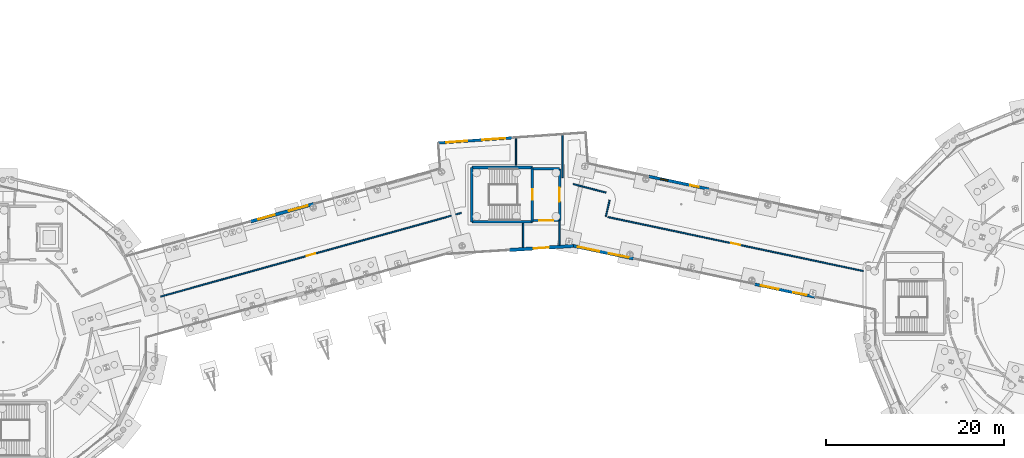
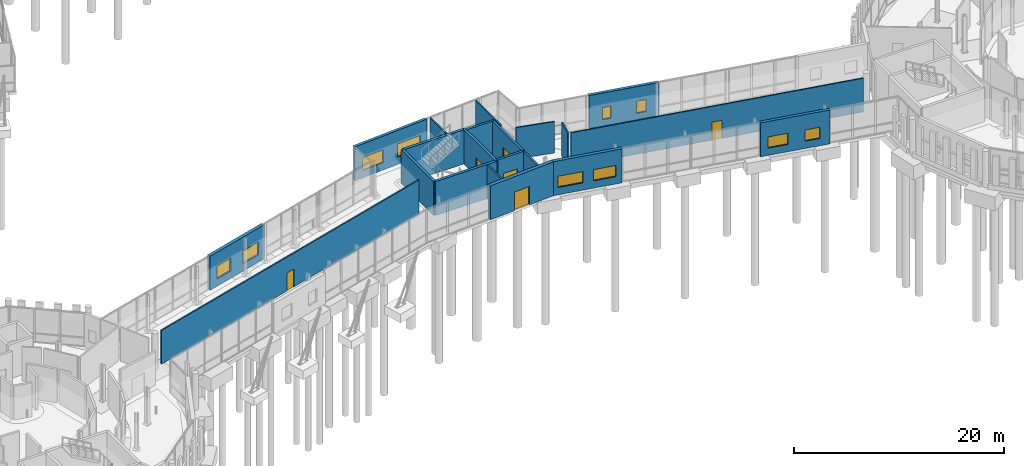
# One storey, part 81 of 113: 21 walls, 10 windows, 6 doors, 16 openings.
"""IFC4 building model written with IfcOpenShell, lengths in metres."""

from ifc_helpers import new_model, si_unit, direction, frame, frame_2d, origin, place, context, subcontext, project, spatial, rectangle, extrude, material, layer, layer_set, type_object, element, fill, save


model = new_model("IFC4")

# Units and contexts
model_context = context("Model", 3, precision=1e-05, world=origin(), true_north=direction((0.0, 1.0)))
body_context = subcontext(model_context, "Body", "Model", "MODEL_VIEW")
ifc_project = project(units=[si_unit("LENGTHUNIT", "METRE"), si_unit("AREAUNIT", "SQUARE_METRE"), si_unit("VOLUMEUNIT", "CUBIC_METRE"), si_unit("PLANEANGLEUNIT", "RADIAN"), si_unit("MASSUNIT", "GRAM", prefix="KILO")], contexts=[model_context])

# Site, building, storey
site_placement = place(None, origin())
site = spatial("IfcSite", under=ifc_project, at=site_placement, CompositionType="ELEMENT")
building_placement = place(site_placement, origin())
building = spatial("IfcBuilding", under=site, at=building_placement, Name="Wrenclough Park School", CompositionType="ELEMENT")
storey_placement = place(building_placement, origin())
storey = spatial("IfcBuildingStorey", under=building, at=storey_placement, Name="L00", CompositionType="ELEMENT", Elevation=0.0)

# Wall, openings, windows
ifc_material_1 = material(Name="Manchester multi-stock brick and Concrete C32/40 inner leaf", Category="masonry")
ifc_layer_1 = layer(ifc_material_1, 0.300048828125)
ifc_layer_set_1 = layer_set([ifc_layer_1], Name="Manchester multi-stock brick and Concrete C32/40 inner leaf")
wall_type_1 = type_object("IfcWallType", Name="ENV-EW-300", PredefinedType="SOLIDWALL", material=ifc_layer_set_1)
wall_1_placement = place(storey_placement, frame((85.302001953125, 44.88720703125, 0.0), z_axis=(0.0, 0.0, 1.0), x_axis=(0.997565760775, 0.069732007928, 0.0)))
wall_1 = element("IfcWall", 1, at=wall_1_placement, inside=storey, type_object=wall_type_1, Name="L00 insulated brick external wall 0048", PredefinedType="SOLIDWALL", context=body_context, shape_type="SweptSolid", body=[
    extrude(rectangle(XDim=8.2802734375, YDim=0.300048828125, at=frame_2d((4.14013671875, 0.0))), origin(), (0.0, 0.0, 1.0), 3.93994140625),
])
opening_1_placement = place(wall_1_placement, frame((0.89501953125, 0.0, 0.85009765625)))
opening_1 = element("IfcOpeningElement", 2, at=opening_1_placement, cuts=wall_1, Name="Opening WN-55", PredefinedType="OPENING", context=body_context, shape_type="SweptSolid", body=[
    extrude(rectangle(XDim=2.35009765625, YDim=1.5, at=frame_2d((1.175048828125, 0.75))), frame((0.0, 0.159912109375, 0.0), z_axis=(0.0, -1.0, 0.0), x_axis=(1.0, 0.0, 0.0)), (0.0, 0.0, 1.0), 0.320068359375),
])
opening_2_placement = place(wall_1_placement, frame((4.909912109375, 0.0, 0.85009765625)))
opening_2 = element("IfcOpeningElement", 3, at=opening_2_placement, cuts=wall_1, Name="Opening WN-56", PredefinedType="OPENING", context=body_context, shape_type="SweptSolid", body=[
    extrude(rectangle(XDim=2.60009765625, YDim=1.5, at=frame_2d((1.300048828125, 0.75))), frame((0.0, 0.159912109375, 0.0), z_axis=(0.0, -1.0, 0.0), x_axis=(1.0, 0.0, 0.0)), (0.0, 0.0, 1.0), 0.320068359375),
])
ifc_material_2 = material(Name="Thermally broken aluminium and double-glazed low-e glass", Category="aluminium")
window_type_1 = type_object("IfcWindowType", Name="ENV-WN-55", PartitioningType="DOUBLE_PANEL_VERTICAL", PredefinedType="WINDOW", material=ifc_material_2)
window_1_placement = place(opening_1_placement, origin())
window_1 = element("IfcWindow", 4, at=window_1_placement, inside=storey, type_object=window_type_1, Name="L00 scheduled facade window 0054", OverallHeight=1.5, OverallWidth=2.35009765625, PartitioningType="SINGLE_PANEL", PredefinedType="WINDOW", context=body_context, shape_type="SweptSolid", body=[
    extrude(rectangle(XDim=2.35009765625, YDim=1.5, at=frame_2d((1.175048828125, 0.75))), frame((0.0, 0.030029296875, 0.0), z_axis=(0.0, -1.0, 0.0), x_axis=(1.0, 0.0, 0.0)), (0.0, 0.0, 1.0), 0.06005859375),
])
fill(opening_1, window_1)
window_type_2 = type_object("IfcWindowType", Name="ENV-WN-56", PartitioningType="DOUBLE_PANEL_VERTICAL", PredefinedType="WINDOW", material=ifc_material_2)
window_2_placement = place(opening_2_placement, origin())
window_2 = element("IfcWindow", 5, at=window_2_placement, inside=storey, type_object=window_type_2, Name="L00 scheduled facade window 0055", OverallHeight=1.5, OverallWidth=2.60009765625, PartitioningType="SINGLE_PANEL", PredefinedType="WINDOW", context=body_context, shape_type="SweptSolid", body=[
    extrude(rectangle(XDim=2.60009765625, YDim=1.5, at=frame_2d((1.300048828125, 0.75))), frame((0.0, 0.030029296875, 0.0), z_axis=(0.0, -1.0, 0.0), x_axis=(1.0, 0.0, 0.0)), (0.0, 0.0, 1.0), 0.06005859375),
])
fill(opening_2, window_2)

ifc_layer_2 = layer(ifc_material_1, 0.324951171875)
ifc_layer_set_2 = layer_set([ifc_layer_2], Name="Manchester multi-stock brick and Concrete C32/40 inner leaf")
wall_type_2 = type_object("IfcWallType", Name="ENV-EW-325", PredefinedType="SOLIDWALL", material=ifc_layer_set_2)
wall_2_placement = place(storey_placement, frame((127.5185546875, 27.63134765625, 0.0), z_axis=(0.0, 0.0, 1.0), x_axis=(-0.978380606667, 0.206812447639, 0.0)))
wall_2 = element("IfcWall", 6, at=wall_2_placement, inside=storey, type_object=wall_type_2, Name="L00 insulated brick external wall 0041", PredefinedType="SOLIDWALL", context=body_context, shape_type="SweptSolid", body=[
    extrude(rectangle(XDim=6.9189453125, YDim=0.324951171875, at=frame_2d((3.45947265625, 0.0))), origin(), (0.0, 0.0, 1.0), 3.93994140625),
])
opening_3_placement = place(wall_2_placement, frame((0.979736328125, 0.0, 0.85009765625)))
opening_3 = element("IfcOpeningElement", 7, at=opening_3_placement, cuts=wall_2, Name="Opening WN-46", PredefinedType="OPENING", context=body_context, shape_type="SweptSolid", body=[
    extrude(rectangle(XDim=1.5, YDim=1.300048828125, at=frame_2d((0.75, 0.64990234375))), frame((0.0, 0.17236328125, 0.0), z_axis=(0.0, -1.0, 0.0), x_axis=(1.0, 0.0, 0.0)), (0.0, 0.0, 1.0), 0.344970703125),
])
opening_4_placement = place(wall_2_placement, frame((4.189208984375, 0.0, 0.85009765625)))
opening_4 = element("IfcOpeningElement", 8, at=opening_4_placement, cuts=wall_2, Name="Opening WN-47", PredefinedType="OPENING", context=body_context, shape_type="SweptSolid", body=[
    extrude(rectangle(XDim=2.0, YDim=1.300048828125, at=frame_2d((1.0, 0.64990234375))), frame((0.0, 0.17236328125, 0.0), z_axis=(0.0, -1.0, 0.0), x_axis=(1.0, 0.0, 0.0)), (0.0, 0.0, 1.0), 0.344970703125),
])
window_type_3 = type_object("IfcWindowType", Name="ENV-WN-46", PartitioningType="DOUBLE_PANEL_VERTICAL", PredefinedType="WINDOW", material=ifc_material_2)
window_3_placement = place(opening_3_placement, origin())
window_3 = element("IfcWindow", 9, at=window_3_placement, inside=storey, type_object=window_type_3, Name="L00 scheduled facade window 0045", OverallHeight=1.300048828125, OverallWidth=1.5, PartitioningType="SINGLE_PANEL", PredefinedType="WINDOW", context=body_context, shape_type="SweptSolid", body=[
    extrude(rectangle(XDim=1.5, YDim=1.300048828125, at=frame_2d((0.75, 0.64990234375))), frame((0.0, 0.030029296875, 0.0), z_axis=(0.0, -1.0, 0.0), x_axis=(1.0, 0.0, 0.0)), (0.0, 0.0, 1.0), 0.06005859375),
])
fill(opening_3, window_3)
window_type_4 = type_object("IfcWindowType", Name="ENV-WN-47", PartitioningType="DOUBLE_PANEL_VERTICAL", PredefinedType="WINDOW", material=ifc_material_2)
window_4_placement = place(opening_4_placement, origin())
window_4 = element("IfcWindow", 10, at=window_4_placement, inside=storey, type_object=window_type_4, Name="L00 scheduled facade window 0046", OverallHeight=1.300048828125, OverallWidth=2.0, PartitioningType="SINGLE_PANEL", PredefinedType="WINDOW", context=body_context, shape_type="SweptSolid", body=[
    extrude(rectangle(XDim=2.0, YDim=1.300048828125, at=frame_2d((1.0, 0.64990234375))), frame((0.0, 0.030029296875, 0.0), z_axis=(0.0, -1.0, 0.0), x_axis=(1.0, 0.0, 0.0)), (0.0, 0.0, 1.0), 0.06005859375),
])
fill(opening_4, window_4)

wall_3_placement = place(storey_placement, frame((108.893310546875, 41.13525390625, 0.0), z_axis=(0.0, 0.0, 1.0), x_axis=(0.978379111133, -0.206819522527, 0.0)))
wall_3 = element("IfcWall", 11, at=wall_3_placement, inside=storey, type_object=wall_type_2, Name="L00 insulated brick external wall 0049", PredefinedType="SOLIDWALL", context=body_context, shape_type="SweptSolid", body=[
    extrude(rectangle(XDim=6.97998046875, YDim=0.324951171875, at=frame_2d((3.489990234375, 0.0))), origin(), (0.0, 0.0, 1.0), 3.93994140625),
])
opening_5_placement = place(wall_3_placement, frame((1.320068359375, 0.0, 0.85009765625)))
opening_5 = element("IfcOpeningElement", 12, at=opening_5_placement, cuts=wall_3, Name="Opening WN-01", PredefinedType="OPENING", context=body_context, shape_type="SweptSolid", body=[
    extrude(rectangle(XDim=0.85009765625, YDim=1.39990234375, at=frame_2d((0.425048828125, 0.699951171875))), frame((0.0, 0.17236328125, 0.0), z_axis=(0.0, -1.0, 0.0), x_axis=(1.0, 0.0, 0.0)), (0.0, 0.0, 1.0), 0.344970703125),
])
opening_6_placement = place(wall_3_placement, frame((4.76025390625, 0.0, 0.85009765625)))
opening_6 = element("IfcOpeningElement", 13, at=opening_6_placement, cuts=wall_3, Name="Opening WN-02", PredefinedType="OPENING", context=body_context, shape_type="SweptSolid", body=[
    extrude(rectangle(XDim=0.949951171875, YDim=1.39990234375, at=frame_2d((0.47509765625, 0.699951171875))), frame((0.0, 0.17236328125, 0.0), z_axis=(0.0, -1.0, 0.0), x_axis=(1.0, 0.0, 0.0)), (0.0, 0.0, 1.0), 0.344970703125),
])
window_type_5 = type_object("IfcWindowType", Name="ENV-WN-01", PartitioningType="SINGLE_PANEL", PredefinedType="WINDOW", material=ifc_material_2)
window_5_placement = place(opening_5_placement, origin())
window_5 = element("IfcWindow", 14, at=window_5_placement, inside=storey, type_object=window_type_5, Name="L00 scheduled facade window 0056", OverallHeight=1.39990234375, OverallWidth=0.85009765625, PartitioningType="SINGLE_PANEL", PredefinedType="WINDOW", context=body_context, shape_type="SweptSolid", body=[
    extrude(rectangle(XDim=0.85009765625, YDim=1.39990234375, at=frame_2d((0.425048828125, 0.699951171875))), frame((0.0, 0.030029296875, 0.0), z_axis=(0.0, -1.0, 0.0), x_axis=(1.0, 0.0, 0.0)), (0.0, 0.0, 1.0), 0.06005859375),
])
fill(opening_5, window_5)
window_type_6 = type_object("IfcWindowType", Name="ENV-WN-02", PartitioningType="SINGLE_PANEL", PredefinedType="WINDOW", material=ifc_material_2)
window_6_placement = place(opening_6_placement, origin())
window_6 = element("IfcWindow", 15, at=window_6_placement, inside=storey, type_object=window_type_6, Name="L00 scheduled facade window 0057", OverallHeight=1.39990234375, OverallWidth=0.949951171875, PartitioningType="SINGLE_PANEL", PredefinedType="WINDOW", context=body_context, shape_type="SweptSolid", body=[
    extrude(rectangle(XDim=0.949951171875, YDim=1.39990234375, at=frame_2d((0.47509765625, 0.699951171875))), frame((0.0, 0.030029296875, 0.0), z_axis=(0.0, -1.0, 0.0), x_axis=(1.0, 0.0, 0.0)), (0.0, 0.0, 1.0), 0.06005859375),
])
fill(opening_6, window_6)

ifc_material_3 = material(Name="Staffordshire blue-grey brick and Concrete C35/45 inner leaf", Category="masonry")
ifc_layer_3 = layer(ifc_material_3, 0.35009765625)
ifc_layer_set_3 = layer_set([ifc_layer_3], Name="Staffordshire blue-grey brick and Concrete C35/45 inner leaf")
wall_type_3 = type_object("IfcWallType", Name="ENV-EW-350", PredefinedType="SOLIDWALL", material=ifc_layer_set_3)
wall_4_placement = place(storey_placement, frame((107.210693359375, 31.924072265625, 0.0), z_axis=(0.0, 0.0, 1.0), x_axis=(-0.978380606667, 0.206812447639, 0.0)))
wall_4 = element("IfcWall", 16, at=wall_4_placement, inside=storey, type_object=wall_type_3, Name="L00 insulated brick external wall 0042", PredefinedType="SOLIDWALL", context=body_context, shape_type="SweptSolid", body=[
    extrude(rectangle(XDim=6.9189453125, YDim=0.35009765625, at=frame_2d((3.45947265625, 0.0))), origin(), (0.0, 0.0, 1.0), 3.93994140625),
])
opening_7_placement = place(wall_4_placement, frame((0.604736328125, 0.0, 0.85009765625)))
opening_7 = element("IfcOpeningElement", 17, at=opening_7_placement, cuts=wall_4, Name="Opening WN-48", PredefinedType="OPENING", context=body_context, shape_type="SweptSolid", body=[
    extrude(rectangle(XDim=2.25, YDim=1.300048828125, at=frame_2d((1.125, 0.64990234375))), frame((0.0, 0.18505859375, 0.0), z_axis=(0.0, -1.0, 0.0), x_axis=(1.0, 0.0, 0.0)), (0.0, 0.0, 1.0), 0.3701171875),
])
opening_8_placement = place(wall_4_placement, frame((3.939208984375, 0.0, 0.85009765625)))
opening_8 = element("IfcOpeningElement", 18, at=opening_8_placement, cuts=wall_4, Name="Opening WN-49", PredefinedType="OPENING", context=body_context, shape_type="SweptSolid", body=[
    extrude(rectangle(XDim=2.5, YDim=1.300048828125, at=frame_2d((1.25, 0.64990234375))), frame((0.0, 0.18505859375, 0.0), z_axis=(0.0, -1.0, 0.0), x_axis=(1.0, 0.0, 0.0)), (0.0, 0.0, 1.0), 0.3701171875),
])
window_type_7 = type_object("IfcWindowType", Name="ENV-WN-48", PartitioningType="DOUBLE_PANEL_VERTICAL", PredefinedType="WINDOW", material=ifc_material_2)
window_7_placement = place(opening_7_placement, origin())
window_7 = element("IfcWindow", 19, at=window_7_placement, inside=storey, type_object=window_type_7, Name="L00 scheduled facade window 0047", OverallHeight=1.300048828125, OverallWidth=2.25, PartitioningType="SINGLE_PANEL", PredefinedType="WINDOW", context=body_context, shape_type="SweptSolid", body=[
    extrude(rectangle(XDim=2.25, YDim=1.300048828125, at=frame_2d((1.125, 0.64990234375))), frame((0.0, 0.030029296875, 0.0), z_axis=(0.0, -1.0, 0.0), x_axis=(1.0, 0.0, 0.0)), (0.0, 0.0, 1.0), 0.06005859375),
])
fill(opening_7, window_7)
window_type_8 = type_object("IfcWindowType", Name="ENV-WN-49", PartitioningType="DOUBLE_PANEL_VERTICAL", PredefinedType="WINDOW", material=ifc_material_2)
window_8_placement = place(opening_8_placement, origin())
window_8 = element("IfcWindow", 20, at=window_8_placement, inside=storey, type_object=window_type_8, Name="L00 scheduled facade window 0048", OverallHeight=1.300048828125, OverallWidth=2.5, PartitioningType="SINGLE_PANEL", PredefinedType="WINDOW", context=body_context, shape_type="SweptSolid", body=[
    extrude(rectangle(XDim=2.5, YDim=1.300048828125, at=frame_2d((1.25, 0.64990234375))), frame((0.0, 0.030029296875, 0.0), z_axis=(0.0, -1.0, 0.0), x_axis=(1.0, 0.0, 0.0)), (0.0, 0.0, 1.0), 0.06005859375),
])
fill(opening_8, window_8)

ifc_material_4 = material(Name="Faceted courtyard brick-cavity wall Concrete C35/45", Category="masonry")
ifc_layer_4 = layer(ifc_material_4, 0.364990234375)
ifc_layer_set_4 = layer_set([ifc_layer_4], Name="Faceted courtyard brick-cavity wall Concrete C35/45")
wall_type_4 = type_object("IfcWallType", Name="ENV-EW-365", PredefinedType="SOLIDWALL", material=ifc_layer_set_4)
wall_5_placement = place(storey_placement, frame((64.297607421875, 36.0927734375, 0.0), z_axis=(0.0, 0.0, 1.0), x_axis=(0.963395775512, 0.268083158227, 0.0)))
wall_5 = element("IfcWall", 21, at=wall_5_placement, inside=storey, type_object=wall_type_4, Name="L00 insulated brick external wall 0047", PredefinedType="SOLIDWALL", context=body_context, shape_type="SweptSolid", body=[
    extrude(rectangle(XDim=7.33740234375, YDim=0.364990234375, at=frame_2d((3.668701171875, 0.0))), origin(), (0.0, 0.0, 1.0), 3.93994140625),
])
opening_9_placement = place(wall_5_placement, frame((0.884521484375, 0.0, 0.85009765625)))
opening_9 = element("IfcOpeningElement", 22, at=opening_9_placement, cuts=wall_5, Name="Opening WN-53", PredefinedType="OPENING", context=body_context, shape_type="SweptSolid", body=[
    extrude(rectangle(XDim=1.89990234375, YDim=1.5, at=frame_2d((0.949951171875, 0.75))), frame((0.0, 0.1923828125, 0.0), z_axis=(0.0, -1.0, 0.0), x_axis=(1.0, 0.0, 0.0)), (0.0, 0.0, 1.0), 0.385009765625),
])
opening_10_placement = place(wall_5_placement, frame((4.427978515625, 0.0, 0.85009765625)))
opening_10 = element("IfcOpeningElement", 23, at=opening_10_placement, cuts=wall_5, Name="Opening WN-54", PredefinedType="OPENING", context=body_context, shape_type="SweptSolid", body=[
    extrude(rectangle(XDim=2.14990234375, YDim=1.5, at=frame_2d((1.074951171875, 0.75))), frame((0.0, 0.1923828125, 0.0), z_axis=(0.0, -1.0, 0.0), x_axis=(1.0, 0.0, 0.0)), (0.0, 0.0, 1.0), 0.385009765625),
])
window_type_9 = type_object("IfcWindowType", Name="ENV-WN-53", PartitioningType="DOUBLE_PANEL_VERTICAL", PredefinedType="WINDOW", material=ifc_material_2)
window_9_placement = place(opening_9_placement, origin())
window_9 = element("IfcWindow", 24, at=window_9_placement, inside=storey, type_object=window_type_9, Name="L00 scheduled facade window 0052", OverallHeight=1.5, OverallWidth=1.89990234375, PartitioningType="SINGLE_PANEL", PredefinedType="WINDOW", context=body_context, shape_type="SweptSolid", body=[
    extrude(rectangle(XDim=1.89990234375, YDim=1.5, at=frame_2d((0.949951171875, 0.75))), frame((0.0, 0.030029296875, 0.0), z_axis=(0.0, -1.0, 0.0), x_axis=(1.0, 0.0, 0.0)), (0.0, 0.0, 1.0), 0.06005859375),
])
fill(opening_9, window_9)
window_type_10 = type_object("IfcWindowType", Name="ENV-WN-54", PartitioningType="DOUBLE_PANEL_VERTICAL", PredefinedType="WINDOW", material=ifc_material_2)
window_10_placement = place(opening_10_placement, origin())
window_10 = element("IfcWindow", 25, at=window_10_placement, inside=storey, type_object=window_type_10, Name="L00 scheduled facade window 0053", OverallHeight=1.5, OverallWidth=2.14990234375, PartitioningType="SINGLE_PANEL", PredefinedType="WINDOW", context=body_context, shape_type="SweptSolid", body=[
    extrude(rectangle(XDim=2.14990234375, YDim=1.5, at=frame_2d((1.074951171875, 0.75))), frame((0.0, 0.030029296875, 0.0), z_axis=(0.0, -1.0, 0.0), x_axis=(1.0, 0.0, 0.0)), (0.0, 0.0, 1.0), 0.06005859375),
])
fill(opening_10, window_10)

# Wall, opening, door
ifc_material_5 = material(Name="Manchester multi-stock brick and Concrete C35/45 inner leaf", Category="masonry")
ifc_layer_5 = layer(ifc_material_5, 0.3798828125)
ifc_layer_set_5 = layer_set([ifc_layer_5], Name="Manchester multi-stock brick and Concrete C35/45 inner leaf")
wall_type_5 = type_object("IfcWallType", Name="ENV-EW-380", PredefinedType="SOLIDWALL", material=ifc_layer_set_5)
wall_6_placement = place(storey_placement, frame((100.44140625, 33.35498046875, 0.0), z_axis=(0.0, 0.0, 1.0), x_axis=(-0.997933226296, -0.064259441753, 0.0)))
wall_6 = element("IfcWall", 26, at=wall_6_placement, inside=storey, type_object=wall_type_5, Name="L00 insulated brick external wall 0043", PredefinedType="SOLIDWALL", context=body_context, shape_type="SweptSolid", body=[
    extrude(rectangle(XDim=7.21484375, YDim=0.3798828125, at=frame_2d((3.607421875, 0.0))), origin(), (0.0, 0.0, 1.0), 3.93994140625),
])
opening_11_placement = place(wall_6_placement, frame((2.747314453125, 0.0, 0.0)))
opening_11 = element("IfcOpeningElement", 27, at=opening_11_placement, cuts=wall_6, Name="Opening EX-08", PredefinedType="OPENING", context=body_context, shape_type="SweptSolid", body=[
    extrude(rectangle(XDim=1.719970703125, YDim=2.14990234375, at=frame_2d((0.85986328125, 1.074951171875))), frame((0.0, 0.199951171875, 0.0), z_axis=(0.0, -1.0, 0.0), x_axis=(1.0, 0.0, 0.0)), (0.0, 0.0, 1.0), 0.39990234375),
])
ifc_material_6 = material(Name="Thermally broken powder-coated aluminium and laminated safety glass", Category="aluminium")
door_type_1 = type_object("IfcDoorType", Name="DR-EX172", OperationType="NOTDEFINED", PredefinedType="DOOR", material=ifc_material_6)
door_1_placement = place(opening_11_placement, origin())
door_1 = element("IfcDoor", 28, at=door_1_placement, inside=storey, type_object=door_type_1, Name="Pedestrian final exit door EX-08", OperationType="DOUBLE_DOOR_SINGLE_SWING", OverallHeight=2.14990234375, OverallWidth=1.719970703125, PredefinedType="DOOR", context=body_context, shape_type="SweptSolid", body=[
    extrude(rectangle(XDim=1.719970703125, YDim=2.14990234375, at=frame_2d((0.85986328125, 1.074951171875))), frame((0.0, 0.02490234375, 0.0), z_axis=(0.0, -1.0, 0.0), x_axis=(1.0, 0.0, 0.0)), (0.0, 0.0, 1.0), 0.050048828125),
])
fill(opening_11, door_1)

ifc_material_7 = material(Name="Concrete C35/45", Category="concrete")
ifc_layer_6 = layer(ifc_material_7, 0.25)
ifc_layer_set_6 = layer_set([ifc_layer_6], Name="Concrete C35/45")
wall_type_6 = type_object("IfcWallType", Name="INT-CW-250", PredefinedType="SHEAR", material=ifc_layer_set_6)
wall_7_placement = place(storey_placement, frame((95.89990234375, 36.199951171875, 0.0), z_axis=(0.0, 0.0, 1.0), x_axis=(1.0, 0.0, 0.0)))
wall_7 = element("IfcWall", 29, at=wall_7_placement, inside=storey, type_object=wall_type_6, Name="Core C7 L00 lobby fire wall south", PredefinedType="SHEAR", context=body_context, shape_type="SweptSolid", body=[
    extrude(rectangle(XDim=3.0, YDim=0.25, at=frame_2d((1.5, 0.0))), origin(), (0.0, 0.0, 1.0), 3.949951171875),
])
opening_12_placement = place(wall_7_placement, frame((0.72509765625, 0.0, 0.0)))
opening_12 = element("IfcOpeningElement", 30, at=opening_12_placement, cuts=wall_7, Name="Opening DLB-C7-L00", PredefinedType="OPENING", context=body_context, shape_type="SweptSolid", body=[
    extrude(rectangle(XDim=1.550048828125, YDim=2.14990234375, at=frame_2d((0.77490234375, 1.074951171875))), frame((0.0, 0.135009765625, 0.0), z_axis=(0.0, -1.0, 0.0), x_axis=(1.0, 0.0, 0.0)), (0.0, 0.0, 1.0), 0.27001953125),
])
ifc_material_8 = material(Name="Protected stair lobby double fire door assembly", Category="wood")
door_type_2 = type_object("IfcDoorType", Name="INT-DR-LB155", OperationType="NOTDEFINED", PredefinedType="DOOR", material=ifc_material_8)
door_2_placement = place(opening_12_placement, frame((1.550048828125, 0.0, 0.0), z_axis=(0.0, 0.0, 1.0), x_axis=(-1.0, 0.0, 0.0)))
door_2 = element("IfcDoor", 31, at=door_2_placement, inside=storey, type_object=door_type_2, Name="Core C7 L00 protected lobby fire door", OperationType="DOUBLE_DOOR_SINGLE_SWING", OverallHeight=2.14990234375, OverallWidth=1.550048828125, PredefinedType="DOOR", context=body_context, shape_type="SweptSolid", body=[
    extrude(rectangle(XDim=1.550048828125, YDim=2.14990234375, at=frame_2d((0.77490234375, 1.074951171875))), frame((0.0, 0.02490234375, 0.0), z_axis=(0.0, -1.0, 0.0), x_axis=(1.0, 0.0, 0.0)), (0.0, 0.0, 1.0), 0.050048828125),
])
fill(opening_12, door_2)

wall_8_placement = place(storey_placement, frame((98.89990234375, 36.199951171875, 0.0), z_axis=(0.0, 0.0, 1.0), x_axis=(0.0, 1.0, 0.0)))
wall_8 = element("IfcWall", 32, at=wall_8_placement, inside=storey, type_object=wall_type_6, Name="Core C7 L00 lobby fire wall east", PredefinedType="SHEAR", context=body_context, shape_type="SweptSolid", body=[
    extrude(rectangle(XDim=5.800048828125, YDim=0.25, at=frame_2d((2.89990234375, 0.0))), origin(), (0.0, 0.0, 1.0), 3.949951171875),
])
opening_13_placement = place(wall_8_placement, frame((2.125, 0.0, 0.0)))
opening_13 = element("IfcOpeningElement", 33, at=opening_13_placement, cuts=wall_8, Name="Opening DEP-C7-L00", PredefinedType="OPENING", context=body_context, shape_type="SweptSolid", body=[
    extrude(rectangle(XDim=1.550048828125, YDim=2.14990234375, at=frame_2d((0.77490234375, 1.074951171875))), frame((0.0, 0.135009765625, 0.0), z_axis=(0.0, -1.0, 0.0), x_axis=(1.0, 0.0, 0.0)), (0.0, 0.0, 1.0), 0.27001953125),
])
door_3_placement = place(opening_13_placement, frame((1.550048828125, 0.0, 0.0), z_axis=(0.0, 0.0, 1.0), x_axis=(-1.0, 0.0, 0.0)))
door_3 = element("IfcDoor", 34, at=door_3_placement, inside=storey, type_object=door_type_2, Name="Core C7 L00 protected exit passageway fire door", OperationType="DOUBLE_DOOR_SINGLE_SWING", OverallHeight=2.14990234375, OverallWidth=1.550048828125, PredefinedType="DOOR", context=body_context, shape_type="SweptSolid", body=[
    extrude(rectangle(XDim=1.550048828125, YDim=2.14990234375, at=frame_2d((0.77490234375, 1.074951171875))), frame((0.0, 0.02490234375, 0.0), z_axis=(0.0, -1.0, 0.0), x_axis=(1.0, 0.0, 0.0)), (0.0, 0.0, 1.0), 0.050048828125),
])
fill(opening_13, door_3)

# Walls
wall_9_placement = place(storey_placement, frame((98.89990234375, 42.0, 0.0), z_axis=(0.0, 0.0, 1.0), x_axis=(-1.0, 0.0, 0.0)))
element("IfcWall", 35, at=wall_9_placement, inside=storey, type_object=wall_type_6, Name="Core C7 L00 lobby fire wall north", PredefinedType="SHEAR", context=body_context, shape_type="SweptSolid", body=[
    extrude(rectangle(XDim=3.0, YDim=0.25, at=frame_2d((1.5, 0.0))), origin(), (0.0, 0.0, 1.0), 3.949951171875),
])
ifc_material_9 = material(Name="Concrete C40/50", Category="concrete")
ifc_layer_7 = layer(ifc_material_9, 0.2900390625)
ifc_layer_set_7 = layer_set([ifc_layer_7], Name="Concrete C40/50")
wall_type_7 = type_object("IfcWallType", Name="INT-CW-290", PredefinedType="SHEAR", material=ifc_layer_set_7)
wall_10_placement = place(storey_placement, frame((89.054931640625, 36.054931640625, 0.0), z_axis=(0.0, 0.0, 1.0), x_axis=(1.0, 0.0, 0.0)))
element("IfcWall", 36, at=wall_10_placement, inside=storey, type_object=wall_type_7, Name="Core C7 L00 south shear wall", PredefinedType="SHEAR", context=body_context, shape_type="SweptSolid", body=[
    extrude(rectangle(XDim=6.7900390625, YDim=0.2900390625, at=frame_2d((3.39501953125, 0.0))), origin(), (0.0, 0.0, 1.0), 3.949951171875),
])

# Wall, opening, door
wall_11_placement = place(storey_placement, frame((95.844970703125, 36.054931640625, 0.0), z_axis=(0.0, 0.0, 1.0), x_axis=(0.0, 1.0, 0.0)))
wall_11 = element("IfcWall", 37, at=wall_11_placement, inside=storey, type_object=wall_type_7, Name="Core C7 L00 east shear wall", PredefinedType="SHEAR", context=body_context, shape_type="SweptSolid", body=[
    extrude(rectangle(XDim=6.090087890625, YDim=0.2900390625, at=frame_2d((3.044921875, 0.0))), origin(), (0.0, 0.0, 1.0), 3.949951171875),
])
opening_14_placement = place(wall_11_placement, frame((2.469970703125, 0.0, 0.0)))
opening_14 = element("IfcOpeningElement", 38, at=opening_14_placement, cuts=wall_11, Name="Opening DST-C7-L00", PredefinedType="OPENING", context=body_context, shape_type="SweptSolid", body=[
    extrude(rectangle(XDim=1.14990234375, YDim=2.10009765625, at=frame_2d((0.574951171875, 1.050048828125))), frame((0.0, 0.155029296875, 0.0), z_axis=(0.0, -1.0, 0.0), x_axis=(1.0, 0.0, 0.0)), (0.0, 0.0, 1.0), 0.31005859375),
])
ifc_material_10 = material(Name="Protected escape stair single fire door assembly", Category="wood")
door_type_3 = type_object("IfcDoorType", Name="INT-DR-ST115", OperationType="NOTDEFINED", PredefinedType="DOOR", material=ifc_material_10)
door_4_placement = place(opening_14_placement, frame((1.14990234375, 0.0, 0.0), z_axis=(0.0, 0.0, 1.0), x_axis=(-1.0, 0.0, 0.0)))
door_4 = element("IfcDoor", 39, at=door_4_placement, inside=storey, type_object=door_type_3, Name="Stair ST-10 L00 fire door", OperationType="SINGLE_SWING_LEFT", OverallHeight=2.10009765625, OverallWidth=1.14990234375, PredefinedType="DOOR", context=body_context, shape_type="SweptSolid", body=[
    extrude(rectangle(XDim=1.14990234375, YDim=2.10009765625, at=frame_2d((0.574951171875, 1.050048828125))), frame((0.0, 0.02490234375, 0.0), z_axis=(0.0, -1.0, 0.0), x_axis=(1.0, 0.0, 0.0)), (0.0, 0.0, 1.0), 0.050048828125),
])
fill(opening_14, door_4)

# Walls
wall_12_placement = place(storey_placement, frame((95.844970703125, 42.14501953125, 0.0), z_axis=(0.0, 0.0, 1.0), x_axis=(-1.0, 0.0, 0.0)))
element("IfcWall", 40, at=wall_12_placement, inside=storey, type_object=wall_type_7, Name="Core C7 L00 north shear wall", PredefinedType="SHEAR", context=body_context, shape_type="SweptSolid", body=[
    extrude(rectangle(XDim=6.7900390625, YDim=0.2900390625, at=frame_2d((3.39501953125, 0.0))), origin(), (0.0, 0.0, 1.0), 3.949951171875),
])
wall_13_placement = place(storey_placement, frame((89.054931640625, 42.14501953125, 0.0), z_axis=(0.0, 0.0, 1.0), x_axis=(0.0, -1.0, 0.0)))
element("IfcWall", 41, at=wall_13_placement, inside=storey, type_object=wall_type_7, Name="Core C7 L00 west shear wall", PredefinedType="SHEAR", context=body_context, shape_type="SweptSolid", body=[
    extrude(rectangle(XDim=6.090087890625, YDim=0.2900390625, at=frame_2d((3.044921875, 0.0))), origin(), (0.0, 0.0, 1.0), 3.949951171875),
])

# Wall, opening, door
ifc_material_11 = material(Name="Protected corridor partition", Category="gypsum")
ifc_layer_8 = layer(ifc_material_11, 0.14990234375)
ifc_layer_set_8 = layer_set([ifc_layer_8], Name="Protected corridor partition")
wall_type_8 = type_object("IfcWallType", Name="INT-PW-150", PredefinedType="PARTITIONING", material=ifc_layer_set_8)
wall_14_placement = place(storey_placement, frame((54.197021484375, 27.677001953125, 0.0), z_axis=(0.0, 0.0, 1.0), x_axis=(0.963398044047, 0.268075005783, 0.0)))
wall_14 = element("IfcWall", 42, at=wall_14_placement, inside=storey, type_object=wall_type_8, Name="L00 internal partition 0133", PredefinedType="PARTITIONING", context=body_context, shape_type="SweptSolid", body=[
    extrude(rectangle(XDim=34.95703125, YDim=0.14990234375, at=frame_2d((17.478515625, 0.0))), origin(), (0.0, 0.0, 1.0), 3.929931640625),
])
opening_15_placement = place(wall_14_placement, frame((16.99853515625, 0.0, 0.0)))
opening_15 = element("IfcOpeningElement", 43, at=opening_15_placement, cuts=wall_14, Name="Opening DR-L00-022", PredefinedType="OPENING", context=body_context, shape_type="SweptSolid", body=[
    extrude(rectangle(XDim=0.9599609375, YDim=2.080078125, at=frame_2d((0.47998046875, 1.0400390625))), frame((0.0, 0.0849609375, 0.0), z_axis=(0.0, -1.0, 0.0), x_axis=(1.0, 0.0, 0.0)), (0.0, 0.0, 1.0), 0.169921875),
])
ifc_material_12 = material(Name="General teaching room single door assembly", Category="wood")
door_type_4 = type_object("IfcDoorType", Name="INT-DR-CL096", OperationType="NOTDEFINED", PredefinedType="DOOR", material=ifc_material_12)
door_5_placement = place(opening_15_placement, origin())
door_5 = element("IfcDoor", 44, at=door_5_placement, inside=storey, type_object=door_type_4, Name="Community Arts Classroom door DR-L00-022", OperationType="SINGLE_SWING_LEFT", OverallHeight=2.080078125, OverallWidth=0.9599609375, PredefinedType="DOOR", context=body_context, shape_type="SweptSolid", body=[
    extrude(rectangle(XDim=0.9599609375, YDim=2.080078125, at=frame_2d((0.47998046875, 1.0400390625))), frame((0.0, 0.02490234375, 0.0), z_axis=(0.0, -1.0, 0.0), x_axis=(1.0, 0.0, 0.0)), (0.0, 0.0, 1.0), 0.050048828125),
])
fill(opening_15, door_5)

# Walls
wall_15_placement = place(storey_placement, frame((94.0, 42.405029296875, 0.0), z_axis=(0.0, 0.0, 1.0), x_axis=(0.0, 1.0, 0.0)))
element("IfcWall", 45, at=wall_15_placement, inside=storey, type_object=wall_type_8, Name="L00 internal partition 0134", PredefinedType="PARTITIONING", context=body_context, shape_type="SweptSolid", body=[
    extrude(rectangle(XDim=2.989990234375, YDim=0.14990234375, at=frame_2d((1.4951171875, 0.0))), origin(), (0.0, 0.0, 1.0), 3.929931640625),
])
wall_16_placement = place(storey_placement, frame((99.199951171875, 45.7587890625, 0.0), z_axis=(0.0, 0.0, 1.0), x_axis=(0.0, -1.0, 0.0)))
element("IfcWall", 46, at=wall_16_placement, inside=storey, type_object=wall_type_8, Name="L00 internal partition 0137", PredefinedType="PARTITIONING", context=body_context, shape_type="SweptSolid", body=[
    extrude(rectangle(XDim=4.759521484375, YDim=0.14990234375, at=frame_2d((2.3798828125, 0.0))), origin(), (0.0, 0.0, 1.0), 3.9150390625),
])
wall_17_placement = place(storey_placement, frame((100.41552734375, 40.2841796875, 0.0), z_axis=(0.0, 0.0, 1.0), x_axis=(0.967673245825, -0.252207234857, 0.0)))
element("IfcWall", 47, at=wall_17_placement, inside=storey, type_object=wall_type_8, Name="L00 internal partition 0138", PredefinedType="PARTITIONING", context=body_context, shape_type="SweptSolid", body=[
    extrude(rectangle(XDim=3.796630859375, YDim=0.14990234375, at=frame_2d((1.8984375, 0.0))), origin(), (0.0, 0.0, 1.0), 3.638671875),
])
wall_18_placement = place(storey_placement, frame((104.50048828125, 38.48876953125, 0.0), z_axis=(0.0, 0.0, 1.0), x_axis=(-0.225590447478, -0.974222228245, 0.0)))
element("IfcWall", 48, at=wall_18_placement, inside=storey, type_object=wall_type_8, Name="L00 internal partition 0139", PredefinedType="PARTITIONING", context=body_context, shape_type="SweptSolid", body=[
    extrude(rectangle(XDim=1.902587890625, YDim=0.14990234375, at=frame_2d((0.951171875, 0.0))), origin(), (0.0, 0.0, 1.0), 3.9150390625),
])

# Wall, opening, door
wall_19_placement = place(storey_placement, frame((104.31591796875, 36.58349609375, 0.0), z_axis=(0.0, 0.0, 1.0), x_axis=(0.978380870746, -0.206811198337, 0.0)))
wall_19 = element("IfcWall", 49, at=wall_19_placement, inside=storey, type_object=wall_type_8, Name="L00 internal partition 0140", PredefinedType="PARTITIONING", context=body_context, shape_type="SweptSolid", body=[
    extrude(rectangle(XDim=29.23974609375, YDim=0.14990234375, at=frame_2d((14.619873046875, 0.0))), origin(), (0.0, 0.0, 1.0), 3.9150390625),
])
opening_16_placement = place(wall_19_placement, frame((14.119873046875, 0.0, 0.0)))
opening_16 = element("IfcOpeningElement", 50, at=opening_16_placement, cuts=wall_19, Name="Opening DR-L00-023", PredefinedType="OPENING", context=body_context, shape_type="SweptSolid", body=[
    extrude(rectangle(XDim=1.0, YDim=2.10009765625, at=frame_2d((0.5, 1.050048828125))), frame((0.0, 0.0849609375, 0.0), z_axis=(0.0, -1.0, 0.0), x_axis=(1.0, 0.0, 0.0)), (0.0, 0.0, 1.0), 0.169921875),
])
ifc_material_13 = material(Name="Humanities classroom vision door assembly", Category="wood")
door_type_5 = type_object("IfcDoorType", Name="INT-DR-CL100", OperationType="NOTDEFINED", PredefinedType="DOOR", material=ifc_material_13)
door_6_placement = place(opening_16_placement, origin())
door_6 = element("IfcDoor", 51, at=door_6_placement, inside=storey, type_object=door_type_5, Name="Visitor Exhibition Gallery door DR-L00-023", OperationType="SINGLE_SWING_RIGHT", OverallHeight=2.10009765625, OverallWidth=1.0, PredefinedType="DOOR", context=body_context, shape_type="SweptSolid", body=[
    extrude(rectangle(XDim=1.0, YDim=2.10009765625, at=frame_2d((0.5, 1.050048828125))), frame((0.0, 0.02490234375, 0.0), z_axis=(0.0, -1.0, 0.0), x_axis=(1.0, 0.0, 0.0)), (0.0, 0.0, 1.0), 0.050048828125),
])
fill(opening_16, door_6)

# Walls
ifc_material_14 = material(Name="Laboratory fire and acoustic partition", Category="gypsum")
ifc_layer_9 = layer(ifc_material_14, 0.18505859375)
ifc_layer_set_9 = layer_set([ifc_layer_9], Name="Laboratory fire and acoustic partition")
wall_type_9 = type_object("IfcWallType", Name="INT-PW-185", PredefinedType="PARTITIONING", material=ifc_layer_set_9)
wall_20_placement = place(storey_placement, frame((98.89990234375, 33.442138671875, 0.0), z_axis=(0.0, 0.0, 1.0), x_axis=(0.0, 1.0, 0.0)))
element("IfcWall", 52, at=wall_20_placement, inside=storey, type_object=wall_type_9, Name="L00 protected exit passageway EI 60 wall 0021", PredefinedType="PARTITIONING", context=body_context, shape_type="SweptSolid", body=[
    extrude(rectangle(XDim=2.7568359375, YDim=0.18505859375, at=frame_2d((1.37841796875, 0.0))), origin(), (0.0, 0.0, 1.0), 3.93994140625),
])
wall_21_placement = place(storey_placement, frame((94.800048828125, 35.907958984375, 0.0), z_axis=(0.0, 0.0, 1.0), x_axis=(0.0, -1.0, 0.0)))
element("IfcWall", 53, at=wall_21_placement, inside=storey, type_object=wall_type_9, Name="L00 protected exit passageway EI 60 wall 0022", PredefinedType="PARTITIONING", context=body_context, shape_type="SweptSolid", body=[
    extrude(rectangle(XDim=2.72998046875, YDim=0.18505859375, at=frame_2d((1.364990234375, 0.0))), origin(), (0.0, 0.0, 1.0), 3.93994140625),
])

save(model, "model.ifc")
